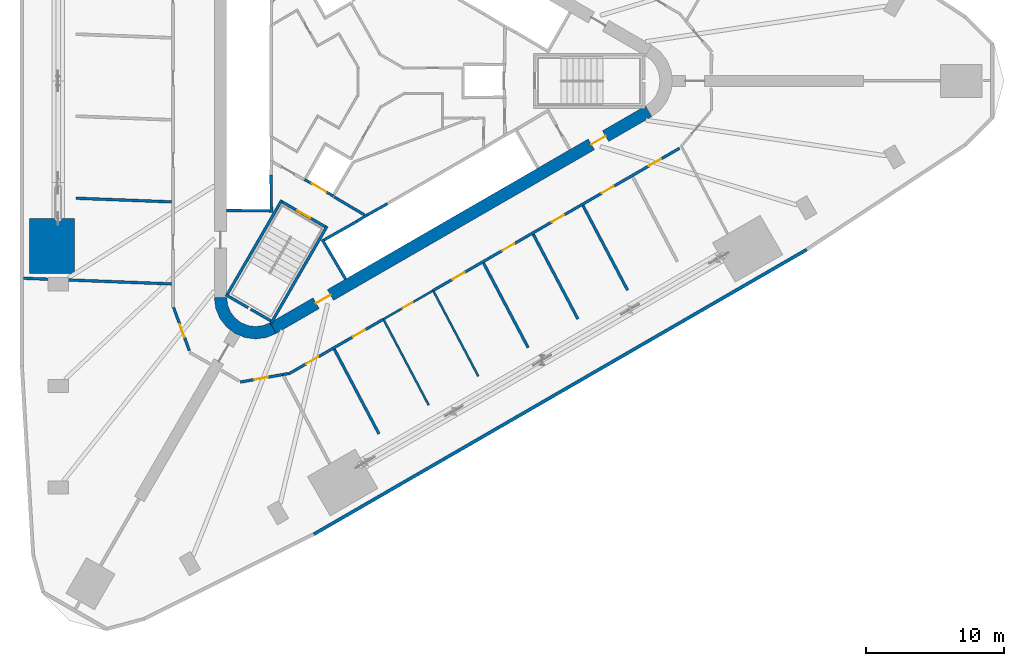
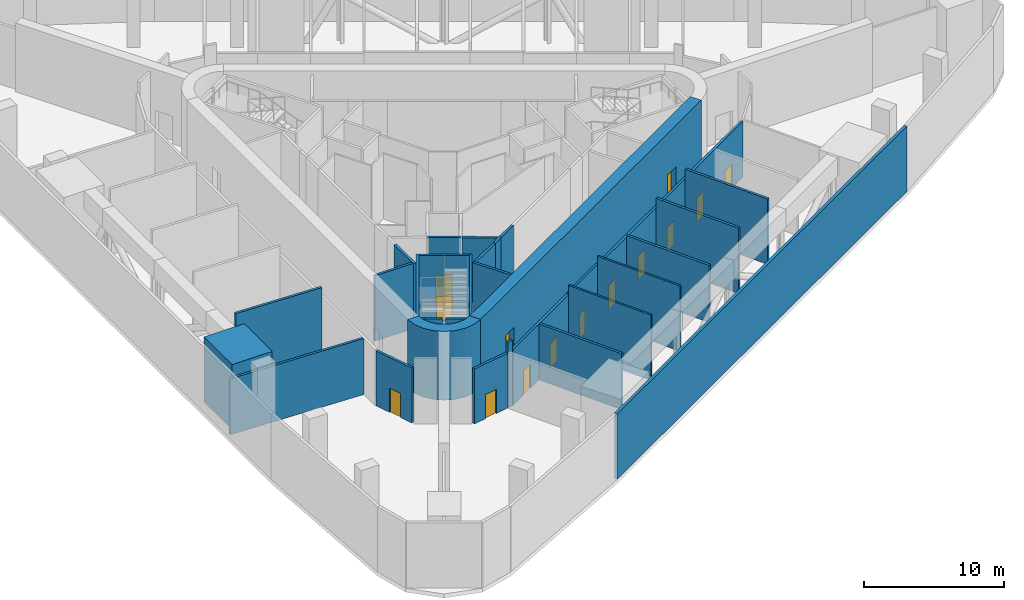
# One storey, part 6 of 14: 31 walls, 14 doors, 14 openings.
"""IFC4 building model written with IfcOpenShell, lengths in metres."""

from ifc_helpers import new_model, si_unit, direction, frame, frame_2d, origin, place, context, subcontext, project, spatial, polyline, rectangle, outline, extrude, material, layer, layer_set, type_object, element, fill, save


model = new_model("IFC4")

# Units and contexts
model_context = context("Model", 3, precision=1e-05, world=origin(), true_north=direction((0.0, 1.0)))
body_context = subcontext(model_context, "Body", "Model", "MODEL_VIEW")
ifc_project = project(units=[si_unit("LENGTHUNIT", "METRE"), si_unit("AREAUNIT", "SQUARE_METRE"), si_unit("VOLUMEUNIT", "CUBIC_METRE"), si_unit("PLANEANGLEUNIT", "RADIAN"), si_unit("MASSUNIT", "GRAM", prefix="KILO")], contexts=[model_context])

# Site, building, storey
site_placement = place(None, origin())
site = spatial("IfcSite", under=ifc_project, at=site_placement, CompositionType="ELEMENT")
building_placement = place(site_placement, origin())
building = spatial("IfcBuilding", under=site, at=building_placement, Name="Tanit Gate Tower", CompositionType="ELEMENT")
storey_placement = place(building_placement, frame((0.0, 0.0, 39.5)))
storey = spatial("IfcBuildingStorey", under=building, at=storey_placement, Name="L06", CompositionType="ELEMENT", Elevation=39.5)

# Wall, openings, doors
ifc_material_1 = material(Name="Concrete C60/75", Category="concrete")
ifc_layer_1 = layer(ifc_material_1, 0.89990234375)
ifc_layer_set_1 = layer_set([ifc_layer_1], Name="CORE WALL 900 C60/75")
wall_type_1 = type_object("IfcWallType", Name="CORE WALL 900 C60/75", PredefinedType="SHEAR", material=ifc_layer_set_1)
wall_1_placement = place(storey_placement, frame((-7.824951171875, -17.969970703125, 0.0), z_axis=(0.0, 0.0, 1.0), x_axis=(0.866028369851, 0.499994862586, 0.0)))
wall_1 = element("IfcWall", 1, at=wall_1_placement, inside=storey, type_object=wall_type_1, Name="CORE WALL", PredefinedType="SHEAR", context=body_context, shape_type="SweptSolid", body=[
    extrude(rectangle(XDim=31.523193359375, YDim=0.89990234375, at=frame_2d((15.76171875, 0.0))), origin(), (0.0, 0.0, 1.0), 6.0),
])
opening_1_placement = place(wall_1_placement, frame((26.711669921875, 0.0, 0.0)))
opening_1 = element("IfcOpeningElement", 2, at=opening_1_placement, cuts=wall_1, Name="Opening F12-06-S1", PredefinedType="OPENING", context=body_context, shape_type="SweptSolid", body=[
    extrude(rectangle(XDim=1.199951171875, YDim=2.39990234375, at=frame_2d((0.60009765625, 1.199951171875))), frame((0.0, 0.4599609375, 0.0), z_axis=(0.0, -1.0, 0.0), x_axis=(1.0, 0.0, 0.0)), (0.0, 0.0, 1.0), 0.919921875),
])
opening_2_placement = place(wall_1_placement, frame((3.611572265625, 0.0, 0.0)))
opening_2 = element("IfcOpeningElement", 3, at=opening_2_placement, cuts=wall_1, Name="Opening F12-06-FL3", PredefinedType="OPENING", context=body_context, shape_type="SweptSolid", body=[
    extrude(rectangle(XDim=1.199951171875, YDim=2.39990234375, at=frame_2d((0.60009765625, 1.199951171875))), frame((0.0, 0.4599609375, 0.0), z_axis=(0.0, -1.0, 0.0), x_axis=(1.0, 0.0, 0.0)), (0.0, 0.0, 1.0), 0.919921875),
])
ifc_material_2 = material(Name="Fire-rated steel door leaf", Category="steel")
door_type_1 = type_object("IfcDoorType", Name="INT-DOOR-FIRE-LOBBY-1200", OperationType="NOTDEFINED", PredefinedType="USERDEFINED", material=ifc_material_2)
door_1_placement = place(opening_1_placement, origin())
door_1 = element("IfcDoor", 4, at=door_1_placement, inside=storey, type_object=door_type_1, Name="Door F12-06-S1", ObjectType="FIRE DOOR", OperationType="SINGLE_SWING_LEFT", OverallHeight=2.39990234375, OverallWidth=1.199951171875, PredefinedType="USERDEFINED", context=body_context, shape_type="SweptSolid", body=[
    extrude(rectangle(XDim=1.199951171875, YDim=2.39990234375, at=frame_2d((0.60009765625, 1.199951171875))), frame((0.0, 0.02490234375, 0.0), z_axis=(0.0, -1.0, 0.0), x_axis=(1.0, 0.0, 0.0)), (0.0, 0.0, 1.0), 0.050048828125),
])
fill(opening_1, door_1)
door_2_placement = place(opening_2_placement, origin())
door_2 = element("IfcDoor", 5, at=door_2_placement, inside=storey, type_object=door_type_1, Name="Door F12-06-FL3", ObjectType="FIRE DOOR", OperationType="SINGLE_SWING_LEFT", OverallHeight=2.39990234375, OverallWidth=1.199951171875, PredefinedType="USERDEFINED", context=body_context, shape_type="SweptSolid", body=[
    extrude(rectangle(XDim=1.199951171875, YDim=2.39990234375, at=frame_2d((0.60009765625, 1.199951171875))), frame((0.0, 0.02490234375, 0.0), z_axis=(0.0, -1.0, 0.0), x_axis=(1.0, 0.0, 0.0)), (0.0, 0.0, 1.0), 0.050048828125),
])
fill(opening_2, door_2)

# Walls
wall_2_placement = place(storey_placement, origin())
element("IfcWall", 6, at=wall_2_placement, inside=storey, type_object=wall_type_1, Name="CORE WALL CORNER", PredefinedType="SHEAR", context=body_context, shape_type="SweptSolid", body=[
    extrude(outline(polyline([(-12.10009765625, -15.76171875), (-11.997802734375, -16.5380859375), (-11.697998046875, -17.26171875), (-11.22119140625, -17.883056640625), (-10.60009765625, -18.359619140625), (-9.87646484375, -18.659423828125), (-9.10009765625, -18.76171875), (-8.323486328125, -18.659423828125), (-7.60009765625, -18.359619140625), (-8.050048828125, -17.580322265625), (-8.556396484375, -17.7900390625), (-9.10009765625, -17.86181640625), (-9.6435546875, -17.7900390625), (-10.14990234375, -17.580322265625), (-10.5849609375, -17.24658203125), (-10.918701171875, -16.811767578125), (-11.12841796875, -16.30517578125), (-11.199951171875, -15.76171875), (-12.10009765625, -15.76171875)])), origin(), (0.0, 0.0, 1.0), 6.0),
])
ifc_material_3 = material(Name="Concrete C30/37 with bronze anodised aluminium cladding", Category="concrete")
ifc_layer_2 = layer(ifc_material_3, 0.239990234375)
ifc_layer_set_2 = layer_set([ifc_layer_2], Name="Facade wall bronze clad 240")
wall_type_2 = type_object("IfcWallType", Name="Facade wall bronze clad 240", PredefinedType="SOLIDWALL", material=ifc_layer_set_2)
wall_3_placement = place(storey_placement, frame((-4.859130859375, -32.954345703125, 0.0), z_axis=(0.0, 0.0, 1.0), x_axis=(0.865991780246, 0.500058233156, 0.0)))
element("IfcWall", 7, at=wall_3_placement, inside=storey, type_object=wall_type_2, Name="Bronze-clad facade wall L06 SE2", PredefinedType="SOLIDWALL", context=body_context, shape_type="SweptSolid", body=[
    extrude(rectangle(XDim=41.37060546875, YDim=0.239990234375, at=frame_2d((20.685302734375, 0.0))), origin(), (0.0, 0.0, 1.0), 5.699951171875),
])
ifc_material_4 = material(Name="Fire-rated gypsum board partition")
ifc_layer_3 = layer(ifc_material_4, 0.199951171875)
ifc_layer_set_3 = layer_set([ifc_layer_3], Name="INT-WALL-COMPARTMENT")
wall_type_3 = type_object("IfcWallType", Name="INT-WALL-COMPARTMENT", PredefinedType="PARTITIONING", material=ifc_layer_set_3)
wall_4_placement = place(storey_placement, frame((-3.400634765625, -8.43017578125, 0.0), z_axis=(0.0, 0.0, 1.0), x_axis=(0.860615607571, -0.509255118781, 0.0)))
element("IfcWall", 8, at=wall_4_placement, inside=storey, type_object=wall_type_3, Name="Wall Compartment W066", PredefinedType="PARTITIONING", context=body_context, shape_type="SweptSolid", body=[
    extrude(rectangle(XDim=2.58056640625, YDim=0.199951171875, at=frame_2d((1.290283203125, 0.0))), origin(), (0.0, 0.0, 1.0), 5.699951171875),
])

# Wall, opening, door
wall_5_placement = place(storey_placement, frame((-15.06591796875, -16.4638671875, 0.0), z_axis=(0.0, 0.0, 1.0), x_axis=(0.34204098686, -0.939685034098, 0.0)))
wall_5 = element("IfcWall", 9, at=wall_5_placement, inside=storey, type_object=wall_type_3, Name="Wall Compartment W097", PredefinedType="PARTITIONING", context=body_context, shape_type="SweptSolid", body=[
    extrude(rectangle(XDim=3.35546875, YDim=0.199951171875, at=frame_2d((1.677734375, 0.0))), origin(), (0.0, 0.0, 1.0), 4.780029296875),
])
opening_3_placement = place(wall_5_placement, frame((1.300048828125, 0.0, 0.0)))
opening_3 = element("IfcOpeningElement", 10, at=opening_3_placement, cuts=wall_5, Name="Opening F10-06-21", PredefinedType="OPENING", context=body_context, shape_type="SweptSolid", body=[
    extrude(rectangle(XDim=1.0, YDim=2.10009765625, at=frame_2d((0.5, 1.050048828125))), frame((0.0, 0.10986328125, 0.0), z_axis=(0.0, -1.0, 0.0), x_axis=(1.0, 0.0, 0.0)), (0.0, 0.0, 1.0), 0.219970703125),
])
ifc_material_5 = material(Name="Fire-rated steel door leaf", Category="steel")
door_type_2 = type_object("IfcDoorType", Name="INT-DOOR-FIRE-1000", OperationType="NOTDEFINED", PredefinedType="USERDEFINED", material=ifc_material_5)
door_3_placement = place(opening_3_placement, origin())
door_3 = element("IfcDoor", 11, at=door_3_placement, inside=storey, type_object=door_type_2, Name="Door F10-06-21", ObjectType="FIRE DOOR", OperationType="SINGLE_SWING_RIGHT", OverallHeight=2.10009765625, OverallWidth=1.0, PredefinedType="USERDEFINED", context=body_context, shape_type="SweptSolid", body=[
    extrude(rectangle(XDim=1.0, YDim=2.10009765625, at=frame_2d((0.5, 1.050048828125))), frame((0.0, 0.02490234375, 0.0), z_axis=(0.0, -1.0, 0.0), x_axis=(1.0, 0.0, 0.0)), (0.0, 0.0, 1.0), 0.050048828125),
])
fill(opening_3, door_3)

# Walls
wall_6_placement = place(storey_placement, frame((-15.199951171875, -8.796142578125, 0.0), z_axis=(0.0, 0.0, 1.0), x_axis=(-0.99926443598, 0.038348233156, 0.0)))
element("IfcWall", 12, at=wall_6_placement, inside=storey, type_object=wall_type_3, Name="Wall Compartment W105", PredefinedType="PARTITIONING", context=body_context, shape_type="SweptSolid", body=[
    extrude(rectangle(XDim=6.95849609375, YDim=0.199951171875, at=frame_2d((3.479248046875, 0.0))), origin(), (0.0, 0.0, 1.0), 5.699951171875),
])
wall_7_placement = place(storey_placement, frame((-15.199951171875, -14.760986328125, 0.0), z_axis=(0.0, 0.0, 1.0), x_axis=(-0.999263478848, 0.038373165632, 0.0)))
element("IfcWall", 13, at=wall_7_placement, inside=storey, type_object=wall_type_3, Name="Wall Compartment W106", PredefinedType="PARTITIONING", context=body_context, shape_type="SweptSolid", body=[
    extrude(rectangle(XDim=10.79052734375, YDim=0.199951171875, at=frame_2d((5.395263671875, 0.0))), origin(), (0.0, 0.0, 1.0), 4.8798828125),
])

# Wall, opening, door
wall_8_placement = place(storey_placement, frame((-10.217041015625, -21.89501953125, 0.0), z_axis=(0.0, 0.0, 1.0), x_axis=(0.984808859834, 0.173641900449, 0.0)))
wall_8 = element("IfcWall", 14, at=wall_8_placement, inside=storey, type_object=wall_type_3, Name="Wall Compartment W136", PredefinedType="PARTITIONING", context=body_context, shape_type="SweptSolid", body=[
    extrude(rectangle(XDim=3.107177734375, YDim=0.199951171875, at=frame_2d((1.5537109375, 0.0))), origin(), (0.0, 0.0, 1.0), 4.780029296875),
])
opening_4_placement = place(wall_8_placement, frame((1.037109375, 0.0, 0.0)))
opening_4 = element("IfcOpeningElement", 15, at=opening_4_placement, cuts=wall_8, Name="Opening F10-06-33", PredefinedType="OPENING", context=body_context, shape_type="SweptSolid", body=[
    extrude(rectangle(XDim=1.0, YDim=2.10009765625, at=frame_2d((0.5, 1.050048828125))), frame((0.0, 0.10986328125, 0.0), z_axis=(0.0, -1.0, 0.0), x_axis=(1.0, 0.0, 0.0)), (0.0, 0.0, 1.0), 0.219970703125),
])
door_4_placement = place(opening_4_placement, origin())
door_4 = element("IfcDoor", 16, at=door_4_placement, inside=storey, type_object=door_type_2, Name="Door F10-06-33", ObjectType="FIRE DOOR", OperationType="SINGLE_SWING_LEFT", OverallHeight=2.10009765625, OverallWidth=1.0, PredefinedType="USERDEFINED", context=body_context, shape_type="SweptSolid", body=[
    extrude(rectangle(XDim=1.0, YDim=2.10009765625, at=frame_2d((0.5, 1.050048828125))), frame((0.0, 0.02490234375, 0.0), z_axis=(0.0, -1.0, 0.0), x_axis=(1.0, 0.0, 0.0)), (0.0, 0.0, 1.0), 0.050048828125),
])
fill(opening_4, door_4)

# Wall
wall_9_placement = place(storey_placement, frame((-7.156982421875, -21.35546875, 0.0), z_axis=(0.0, 0.0, 1.0), x_axis=(0.984783558818, 0.173785333909, 0.0)))
element("IfcWall", 17, at=wall_9_placement, inside=storey, type_object=wall_type_3, Name="Wall Compartment W139", PredefinedType="PARTITIONING", context=body_context, shape_type="SweptSolid", body=[
    extrude(rectangle(XDim=0.438232421875, YDim=0.199951171875, at=frame_2d((0.21923828125, 0.0))), origin(), (0.0, 0.0, 1.0), 5.699951171875),
])

# Wall, openings, doors
wall_10_placement = place(storey_placement, frame((-6.71337890625, -21.31201171875, 0.0), z_axis=(0.0, 0.0, 1.0), x_axis=(0.866023773276, 0.500002824113, 0.0)))
wall_10 = element("IfcWall", 18, at=wall_10_placement, inside=storey, type_object=wall_type_3, Name="Wall Compartment W138", PredefinedType="PARTITIONING", context=body_context, shape_type="SweptSolid", body=[
    extrude(rectangle(XDim=7.96484375, YDim=0.199951171875, at=frame_2d((3.982421875, 0.0))), origin(), (0.0, 0.0, 1.0), 4.8798828125),
])
opening_5_placement = place(wall_10_placement, frame((1.5, 0.0, 0.0)))
opening_5 = element("IfcOpeningElement", 19, at=opening_5_placement, cuts=wall_10, Name="Opening F10-06-34", PredefinedType="OPENING", context=body_context, shape_type="SweptSolid", body=[
    extrude(rectangle(XDim=1.0, YDim=2.10009765625, at=frame_2d((0.5, 1.050048828125))), frame((0.0, 0.10986328125, 0.0), z_axis=(0.0, -1.0, 0.0), x_axis=(1.0, 0.0, 0.0)), (0.0, 0.0, 1.0), 0.219970703125),
])
opening_6_placement = place(wall_10_placement, frame((5.42578125, 0.0, 0.0)))
opening_6 = element("IfcOpeningElement", 20, at=opening_6_placement, cuts=wall_10, Name="Opening F10-06-35", PredefinedType="OPENING", context=body_context, shape_type="SweptSolid", body=[
    extrude(rectangle(XDim=1.0, YDim=2.10009765625, at=frame_2d((0.5, 1.050048828125))), frame((0.0, 0.10986328125, 0.0), z_axis=(0.0, -1.0, 0.0), x_axis=(1.0, 0.0, 0.0)), (0.0, 0.0, 1.0), 0.219970703125),
])
door_5_placement = place(opening_5_placement, origin())
door_5 = element("IfcDoor", 21, at=door_5_placement, inside=storey, type_object=door_type_2, Name="Door F10-06-34", ObjectType="FIRE DOOR", OperationType="SINGLE_SWING_LEFT", OverallHeight=2.10009765625, OverallWidth=1.0, PredefinedType="USERDEFINED", context=body_context, shape_type="SweptSolid", body=[
    extrude(rectangle(XDim=1.0, YDim=2.10009765625, at=frame_2d((0.5, 1.050048828125))), frame((0.0, 0.02490234375, 0.0), z_axis=(0.0, -1.0, 0.0), x_axis=(1.0, 0.0, 0.0)), (0.0, 0.0, 1.0), 0.050048828125),
])
fill(opening_5, door_5)
door_6_placement = place(opening_6_placement, origin())
door_6 = element("IfcDoor", 22, at=door_6_placement, inside=storey, type_object=door_type_2, Name="Door F10-06-35", ObjectType="FIRE DOOR", OperationType="SINGLE_SWING_RIGHT", OverallHeight=2.10009765625, OverallWidth=1.0, PredefinedType="USERDEFINED", context=body_context, shape_type="SweptSolid", body=[
    extrude(rectangle(XDim=1.0, YDim=2.10009765625, at=frame_2d((0.5, 1.050048828125))), frame((0.0, 0.02490234375, 0.0), z_axis=(0.0, -1.0, 0.0), x_axis=(1.0, 0.0, 0.0)), (0.0, 0.0, 1.0), 0.050048828125),
])
fill(opening_6, door_6)

wall_11_placement = place(storey_placement, frame((3.80029296875, -15.241943359375, 0.0), z_axis=(0.0, 0.0, 1.0), x_axis=(0.866025905383, 0.499999131204, 0.0)))
wall_11 = element("IfcWall", 23, at=wall_11_placement, inside=storey, type_object=wall_type_3, Name="Wall Compartment W142", PredefinedType="PARTITIONING", context=body_context, shape_type="SweptSolid", body=[
    extrude(rectangle(XDim=20.69970703125, YDim=0.199951171875, at=frame_2d((10.349853515625, 0.0))), origin(), (0.0, 0.0, 1.0), 4.8798828125),
])
opening_7_placement = place(wall_11_placement, frame((1.636474609375, 0.0, 0.0)))
opening_7 = element("IfcOpeningElement", 24, at=opening_7_placement, cuts=wall_11, Name="Opening F10-06-37", PredefinedType="OPENING", context=body_context, shape_type="SweptSolid", body=[
    extrude(rectangle(XDim=1.0, YDim=2.10009765625, at=frame_2d((0.5, 1.050048828125))), frame((0.0, 0.10986328125, 0.0), z_axis=(0.0, -1.0, 0.0), x_axis=(1.0, 0.0, 0.0)), (0.0, 0.0, 1.0), 0.219970703125),
])
opening_8_placement = place(wall_11_placement, frame((5.811767578125, 0.0, 0.0)))
opening_8 = element("IfcOpeningElement", 25, at=opening_8_placement, cuts=wall_11, Name="Opening F10-06-38", PredefinedType="OPENING", context=body_context, shape_type="SweptSolid", body=[
    extrude(rectangle(XDim=1.0, YDim=2.10009765625, at=frame_2d((0.5, 1.050048828125))), frame((0.0, 0.10986328125, 0.0), z_axis=(0.0, -1.0, 0.0), x_axis=(1.0, 0.0, 0.0)), (0.0, 0.0, 1.0), 0.219970703125),
])
opening_9_placement = place(wall_11_placement, frame((9.987060546875, 0.0, 0.0)))
opening_9 = element("IfcOpeningElement", 26, at=opening_9_placement, cuts=wall_11, Name="Opening F10-06-39", PredefinedType="OPENING", context=body_context, shape_type="SweptSolid", body=[
    extrude(rectangle(XDim=1.0, YDim=2.10009765625, at=frame_2d((0.5, 1.050048828125))), frame((0.0, 0.10986328125, 0.0), z_axis=(0.0, -1.0, 0.0), x_axis=(1.0, 0.0, 0.0)), (0.0, 0.0, 1.0), 0.219970703125),
])
opening_10_placement = place(wall_11_placement, frame((14.162353515625, 0.0, 0.0)))
opening_10 = element("IfcOpeningElement", 27, at=opening_10_placement, cuts=wall_11, Name="Opening F10-06-40", PredefinedType="OPENING", context=body_context, shape_type="SweptSolid", body=[
    extrude(rectangle(XDim=1.0, YDim=2.10009765625, at=frame_2d((0.5, 1.050048828125))), frame((0.0, 0.10986328125, 0.0), z_axis=(0.0, -1.0, 0.0), x_axis=(1.0, 0.0, 0.0)), (0.0, 0.0, 1.0), 0.219970703125),
])
opening_11_placement = place(wall_11_placement, frame((18.1376953125, 0.0, 0.0)))
opening_11 = element("IfcOpeningElement", 28, at=opening_11_placement, cuts=wall_11, Name="Opening F10-06-41", PredefinedType="OPENING", context=body_context, shape_type="SweptSolid", body=[
    extrude(rectangle(XDim=1.0, YDim=2.10009765625, at=frame_2d((0.5, 1.050048828125))), frame((0.0, 0.10986328125, 0.0), z_axis=(0.0, -1.0, 0.0), x_axis=(1.0, 0.0, 0.0)), (0.0, 0.0, 1.0), 0.219970703125),
])
door_7_placement = place(opening_7_placement, origin())
door_7 = element("IfcDoor", 29, at=door_7_placement, inside=storey, type_object=door_type_2, Name="Door F10-06-37", ObjectType="FIRE DOOR", OperationType="SINGLE_SWING_LEFT", OverallHeight=2.10009765625, OverallWidth=1.0, PredefinedType="USERDEFINED", context=body_context, shape_type="SweptSolid", body=[
    extrude(rectangle(XDim=1.0, YDim=2.10009765625, at=frame_2d((0.5, 1.050048828125))), frame((0.0, 0.02490234375, 0.0), z_axis=(0.0, -1.0, 0.0), x_axis=(1.0, 0.0, 0.0)), (0.0, 0.0, 1.0), 0.050048828125),
])
fill(opening_7, door_7)
door_8_placement = place(opening_8_placement, origin())
door_8 = element("IfcDoor", 30, at=door_8_placement, inside=storey, type_object=door_type_2, Name="Door F10-06-38", ObjectType="FIRE DOOR", OperationType="SINGLE_SWING_RIGHT", OverallHeight=2.10009765625, OverallWidth=1.0, PredefinedType="USERDEFINED", context=body_context, shape_type="SweptSolid", body=[
    extrude(rectangle(XDim=1.0, YDim=2.10009765625, at=frame_2d((0.5, 1.050048828125))), frame((0.0, 0.02490234375, 0.0), z_axis=(0.0, -1.0, 0.0), x_axis=(1.0, 0.0, 0.0)), (0.0, 0.0, 1.0), 0.050048828125),
])
fill(opening_8, door_8)
door_9_placement = place(opening_9_placement, origin())
door_9 = element("IfcDoor", 31, at=door_9_placement, inside=storey, type_object=door_type_2, Name="Door F10-06-39", ObjectType="FIRE DOOR", OperationType="SINGLE_SWING_LEFT", OverallHeight=2.10009765625, OverallWidth=1.0, PredefinedType="USERDEFINED", context=body_context, shape_type="SweptSolid", body=[
    extrude(rectangle(XDim=1.0, YDim=2.10009765625, at=frame_2d((0.5, 1.050048828125))), frame((0.0, 0.02490234375, 0.0), z_axis=(0.0, -1.0, 0.0), x_axis=(1.0, 0.0, 0.0)), (0.0, 0.0, 1.0), 0.050048828125),
])
fill(opening_9, door_9)
door_10_placement = place(opening_10_placement, origin())
door_10 = element("IfcDoor", 32, at=door_10_placement, inside=storey, type_object=door_type_2, Name="Door F10-06-40", ObjectType="FIRE DOOR", OperationType="SINGLE_SWING_LEFT", OverallHeight=2.10009765625, OverallWidth=1.0, PredefinedType="USERDEFINED", context=body_context, shape_type="SweptSolid", body=[
    extrude(rectangle(XDim=1.0, YDim=2.10009765625, at=frame_2d((0.5, 1.050048828125))), frame((0.0, 0.02490234375, 0.0), z_axis=(0.0, -1.0, 0.0), x_axis=(1.0, 0.0, 0.0)), (0.0, 0.0, 1.0), 0.050048828125),
])
fill(opening_10, door_10)
door_11_placement = place(opening_11_placement, origin())
door_11 = element("IfcDoor", 33, at=door_11_placement, inside=storey, type_object=door_type_2, Name="Door F10-06-41", ObjectType="FIRE DOOR", OperationType="SINGLE_SWING_RIGHT", OverallHeight=2.10009765625, OverallWidth=1.0, PredefinedType="USERDEFINED", context=body_context, shape_type="SweptSolid", body=[
    extrude(rectangle(XDim=1.0, YDim=2.10009765625, at=frame_2d((0.5, 1.050048828125))), frame((0.0, 0.02490234375, 0.0), z_axis=(0.0, -1.0, 0.0), x_axis=(1.0, 0.0, 0.0)), (0.0, 0.0, 1.0), 0.050048828125),
])
fill(opening_11, door_11)

# Walls
wall_12_placement = place(storey_placement, frame((-0.133056640625, -25.657470703125, 0.0), z_axis=(0.0, 0.0, 1.0), x_axis=(-0.466378215556, 0.884585417048, 0.0)))
element("IfcWall", 34, at=wall_12_placement, inside=storey, type_object=wall_type_3, Name="Wall Compartment W150", PredefinedType="PARTITIONING", context=body_context, shape_type="SweptSolid", body=[
    extrude(rectangle(XDim=6.958740234375, YDim=0.199951171875, at=frame_2d((3.4794921875, 0.0))), origin(), (0.0, 0.0, 1.0), 4.8798828125),
])
wall_13_placement = place(storey_placement, frame((7.46923828125, -13.239013671875, 0.0), z_axis=(0.0, 0.0, 1.0), x_axis=(0.46642014312, -0.884563310392, 0.0)))
element("IfcWall", 35, at=wall_13_placement, inside=storey, type_object=wall_type_3, Name="Wall Compartment W153", PredefinedType="PARTITIONING", context=body_context, shape_type="SweptSolid", body=[
    extrude(rectangle(XDim=6.95849609375, YDim=0.199951171875, at=frame_2d((3.479248046875, 0.0))), origin(), (0.0, 0.0, 1.0), 4.97998046875),
])
for number, where, z_axis, x_axis, name in (
    (36, (11.085205078125, -11.1513671875, 0.0), (0.0, 0.0, 1.0), (0.46642014312, -0.884563310392, 0.0), "Wall Compartment W154"),
    (37, (14.701171875, -9.063720703125, 0.0), (0.0, 0.0, 1.0), (0.4663926901, -0.884577785512, 0.0), "Wall Compartment W155"),
):
    element("IfcWall", number, at=place(storey_placement, frame(where, z_axis=z_axis, x_axis=x_axis)), inside=storey, type_object=wall_type_3, Name=name, PredefinedType="PARTITIONING", context=body_context, shape_type="SweptSolid", body=[
        extrude(rectangle(XDim=6.95849609375, YDim=0.199951171875, at=frame_2d((3.479248046875, 0.0))), origin(), (0.0, 0.0, 1.0), 5.699951171875),
    ])

# Wall, opening, door
ifc_material_6 = material(Name="Fire-rated gypsum board partition")
ifc_layer_4 = layer(ifc_material_6, 0.14990234375)
ifc_layer_set_4 = layer_set([ifc_layer_4], Name="INT-WALL-RISER")
wall_type_4 = type_object("IfcWallType", Name="INT-WALL-RISER", PredefinedType="PLUMBINGWALL", material=ifc_layer_set_4)
wall_14_placement = place(storey_placement, frame((0.184326171875, -17.32958984375, 0.0), z_axis=(0.0, 0.0, 1.0), x_axis=(0.866028817718, 0.499994086848, 0.0)))
wall_14 = element("IfcWall", 38, at=wall_14_placement, inside=storey, type_object=wall_type_4, Name="Wall Riser W141", PredefinedType="PLUMBINGWALL", context=body_context, shape_type="SweptSolid", body=[
    extrude(rectangle(XDim=4.17529296875, YDim=0.14990234375, at=frame_2d((2.087646484375, 0.0))), origin(), (0.0, 0.0, 1.0), 4.97998046875),
])
opening_12_placement = place(wall_14_placement, frame((1.636474609375, 0.0, 0.0)))
opening_12 = element("IfcOpeningElement", 39, at=opening_12_placement, cuts=wall_14, Name="Opening R08-06-36", PredefinedType="OPENING", context=body_context, shape_type="SweptSolid", body=[
    extrude(rectangle(XDim=0.800048828125, YDim=2.10009765625, at=frame_2d((0.39990234375, 1.050048828125))), frame((0.0, 0.0849609375, 0.0), z_axis=(0.0, -1.0, 0.0), x_axis=(1.0, 0.0, 0.0)), (0.0, 0.0, 1.0), 0.169921875),
])
ifc_material_7 = material(Name="Timber door leaf", Category="wood")
door_type_3 = type_object("IfcDoorType", Name="INT-DOOR-RISER-800", OperationType="NOTDEFINED", PredefinedType="USERDEFINED", material=ifc_material_7)
door_12_placement = place(opening_12_placement, origin())
door_12 = element("IfcDoor", 40, at=door_12_placement, inside=storey, type_object=door_type_3, Name="Door R08-06-36", ObjectType="FIRE DOOR", OperationType="SINGLE_SWING_RIGHT", OverallHeight=2.10009765625, OverallWidth=0.800048828125, PredefinedType="USERDEFINED", context=body_context, shape_type="SweptSolid", body=[
    extrude(rectangle(XDim=0.800048828125, YDim=2.10009765625, at=frame_2d((0.39990234375, 1.050048828125))), frame((0.0, 0.02490234375, 0.0), z_axis=(0.0, -1.0, 0.0), x_axis=(1.0, 0.0, 0.0)), (0.0, 0.0, 1.0), 0.050048828125),
])
fill(opening_12, door_12)

# Walls
wall_15_placement = place(storey_placement, frame((0.237548828125, -17.414306640625, 0.0), z_axis=(0.0, 0.0, 1.0), x_axis=(0.466378215556, -0.884585417048, 0.0)))
element("IfcWall", 41, at=wall_15_placement, inside=storey, type_object=wall_type_4, Name="Wall Riser W151", PredefinedType="PLUMBINGWALL", context=body_context, shape_type="SweptSolid", body=[
    extrude(rectangle(XDim=6.958740234375, YDim=0.14990234375, at=frame_2d((3.4794921875, 0.0))), origin(), (0.0, 0.0, 1.0), 5.699951171875),
])
wall_16_placement = place(storey_placement, frame((7.098876953125, -21.48193359375, 0.0), z_axis=(0.0, 0.0, 1.0), x_axis=(-0.466393246704, 0.884577492043, 0.0)))
element("IfcWall", 42, at=wall_16_placement, inside=storey, type_object=wall_type_4, Name="Wall Riser W152", PredefinedType="PLUMBINGWALL", context=body_context, shape_type="SweptSolid", body=[
    extrude(rectangle(XDim=6.983642578125, YDim=0.14990234375, at=frame_2d((3.49169921875, 0.0))), origin(), (0.0, 0.0, 1.0), 5.699951171875),
])
ifc_material_8 = material(Name="Gypsum shaft wall system")
ifc_layer_5 = layer(ifc_material_8, 0.199951171875)
ifc_layer_set_5 = layer_set([ifc_layer_5], Name="INT-WALL-SHAFT")
wall_type_5 = type_object("IfcWallType", Name="INT-WALL-SHAFT", PredefinedType="PLUMBINGWALL", material=ifc_layer_set_5)
wall_17_placement = place(storey_placement, frame((-7.97900390625, -6.85009765625, 0.0), z_axis=(0.0, 0.0, 1.0), x_axis=(0.011121475088, -0.999938154483, 0.0)))
element("IfcWall", 43, at=wall_17_placement, inside=storey, type_object=wall_type_5, Name="Wall Shaft W011", PredefinedType="PLUMBINGWALL", context=body_context, shape_type="SweptSolid", body=[
    extrude(rectangle(XDim=2.7001953125, YDim=0.199951171875, at=frame_2d((1.35009765625, 0.0))), origin(), (0.0, 0.0, 1.0), 5.699951171875),
])
wall_18_placement = place(storey_placement, frame((-8.050048828125, -9.448974609375, 0.0), z_axis=(0.0, 0.0, 1.0), x_axis=(-0.999957467379, 0.009222983926, 0.0)))
element("IfcWall", 44, at=wall_18_placement, inside=storey, type_object=wall_type_5, Name="Wall Shaft W012", PredefinedType="PLUMBINGWALL", context=body_context, shape_type="SweptSolid", body=[
    extrude(rectangle(XDim=3.150146484375, YDim=0.199951171875, at=frame_2d((1.5751953125, 0.0))), origin(), (0.0, 0.0, 1.0), 5.699951171875),
])
wall_19_placement = place(storey_placement, frame((-2.557861328125, -14.409423828125, 0.0), z_axis=(0.0, 0.0, 1.0), x_axis=(-0.507997497166, 0.861358544901, 0.0)))
element("IfcWall", 45, at=wall_19_placement, inside=storey, type_object=wall_type_5, Name="Wall Shaft W027", PredefinedType="PLUMBINGWALL", context=body_context, shape_type="SweptSolid", body=[
    extrude(rectangle(XDim=3.350341796875, YDim=0.199951171875, at=frame_2d((1.67529296875, 0.0))), origin(), (0.0, 0.0, 1.0), 5.699951171875),
])
wall_20_placement = place(storey_placement, frame((-1.7685546875, -10.23681640625, 0.0), z_axis=(0.0, 0.0, 1.0), x_axis=(-0.871534483978, -0.490334215854, 0.0)))
element("IfcWall", 46, at=wall_20_placement, inside=storey, type_object=wall_type_5, Name="Wall Shaft W028", PredefinedType="PLUMBINGWALL", context=body_context, shape_type="SweptSolid", body=[
    extrude(rectangle(XDim=2.7001953125, YDim=0.199951171875, at=frame_2d((1.35009765625, 0.0))), origin(), (0.0, 0.0, 1.0), 5.699951171875),
])
wall_21_placement = place(storey_placement, frame((-1.02392578125, -9.77099609375, 0.0), z_axis=(0.0, 0.0, 1.0), x_axis=(-0.850348075135, -0.526220629693, 0.0)))
element("IfcWall", 47, at=wall_21_placement, inside=storey, type_object=wall_type_5, Name="Wall Shaft W029", PredefinedType="PLUMBINGWALL", context=body_context, shape_type="SweptSolid", body=[
    extrude(rectangle(XDim=0.878173828125, YDim=0.199951171875, at=frame_2d((0.43896484375, 0.0))), origin(), (0.0, 0.0, 1.0), 5.699951171875),
])
wall_22_placement = place(storey_placement, frame((-1.130126953125, -9.831298828125, 0.0), z_axis=(0.0, 0.0, 1.0), x_axis=(0.874269620932, 0.485440655401, 0.0)))
element("IfcWall", 48, at=wall_22_placement, inside=storey, type_object=wall_type_5, Name="Wall Shaft W030", PredefinedType="PLUMBINGWALL", context=body_context, shape_type="SweptSolid", body=[
    extrude(rectangle(XDim=1.8447265625, YDim=0.199951171875, at=frame_2d((0.92236328125, 0.0))), origin(), (0.0, 0.0, 1.0), 5.699951171875),
])

# Wall, opening, door
wall_23_placement = place(storey_placement, frame((-3.44580078125, -8.3681640625, 0.0), z_axis=(0.0, 0.0, 1.0), x_axis=(-0.866024647952, 0.500001309137, 0.0)))
wall_23 = element("IfcWall", 49, at=wall_23_placement, inside=storey, type_object=wall_type_5, Name="Wall Shaft W056", PredefinedType="PLUMBINGWALL", context=body_context, shape_type="SweptSolid", body=[
    extrude(rectangle(XDim=2.39990234375, YDim=0.199951171875, at=frame_2d((1.199951171875, 0.0))), origin(), (0.0, 0.0, 1.0), 5.699951171875),
])
opening_13_placement = place(wall_23_placement, frame((0.60009765625, 0.0, 0.0)))
opening_13 = element("IfcOpeningElement", 50, at=opening_13_placement, cuts=wall_23, Name="Opening LDFL3-L06", PredefinedType="OPENING", context=body_context, shape_type="SweptSolid", body=[
    extrude(rectangle(XDim=1.199951171875, YDim=2.39990234375, at=frame_2d((0.60009765625, 1.199951171875))), frame((0.0, 0.10986328125, 0.0), z_axis=(0.0, -1.0, 0.0), x_axis=(1.0, 0.0, 0.0)), (0.0, 0.0, 1.0), 0.219970703125),
])
ifc_material_9 = material(Name="Stainless steel sliding door leaf", Category="steel")
door_type_4 = type_object("IfcDoorType", Name="INT-DOOR-LANDING-1200", OperationType="NOTDEFINED", PredefinedType="USERDEFINED", material=ifc_material_9)
door_13_placement = place(opening_13_placement, origin())
door_13 = element("IfcDoor", 51, at=door_13_placement, inside=storey, type_object=door_type_4, Name="Door LDFL3-L06", ObjectType="LANDING DOOR", OperationType="SLIDING_TO_LEFT", OverallHeight=2.39990234375, OverallWidth=1.199951171875, PredefinedType="USERDEFINED", context=body_context, shape_type="SweptSolid", body=[
    extrude(rectangle(XDim=1.199951171875, YDim=2.39990234375, at=frame_2d((0.60009765625, 1.199951171875))), frame((0.0, 0.02490234375, 0.0), z_axis=(0.0, -1.0, 0.0), x_axis=(1.0, 0.0, 0.0)), (0.0, 0.0, 1.0), 0.050048828125),
])
fill(opening_13, door_13)

# Walls
ifc_material_10 = material(Name="Concrete C40/50", Category="concrete")
ifc_layer_6 = layer(ifc_material_10, 0.199951171875)
ifc_layer_set_6 = layer_set([ifc_layer_6], Name="INT-WALL-STAIR")
wall_type_6 = type_object("IfcWallType", Name="INT-WALL-STAIR", PredefinedType="SHEAR", material=ifc_layer_set_6)
wall_24_placement = place(storey_placement, frame((-3.904541015625, -10.56298828125, -0.35009765625), z_axis=(0.0, 0.0, 1.0), x_axis=(-0.500012932018, -0.866017937352, 0.0)))
element("IfcWall", 52, at=wall_24_placement, inside=storey, type_object=wall_type_6, Name="Wall Stair W051", PredefinedType="SHEAR", context=body_context, shape_type="SweptSolid", body=[
    extrude(rectangle(XDim=8.099853515625, YDim=0.199951171875, at=frame_2d((4.0498046875, 0.0))), origin(), (0.0, 0.0, 1.0), 6.050048828125),
])
wall_25_placement = place(storey_placement, frame((-11.281982421875, -15.541015625, -0.35009765625), z_axis=(0.0, 0.0, 1.0), x_axis=(0.866000578957, -0.500042995397, 0.0)))
element("IfcWall", 53, at=wall_25_placement, inside=storey, type_object=wall_type_6, Name="Wall Stair W053", PredefinedType="SHEAR", context=body_context, shape_type="SweptSolid", body=[
    extrude(rectangle(XDim=1.889892578125, YDim=0.199951171875, at=frame_2d((0.94482421875, 0.0))), origin(), (0.0, 0.0, 1.0), 6.050048828125),
])
wall_26_placement = place(storey_placement, frame((-9.454833984375, -16.59619140625, -0.35009765625), z_axis=(0.0, 0.0, 1.0), x_axis=(0.866038843867, -0.499976720371, 0.0)))
element("IfcWall", 54, at=wall_26_placement, inside=storey, type_object=wall_type_6, Name="Wall Stair W052", PredefinedType="SHEAR", context=body_context, shape_type="SweptSolid", body=[
    extrude(rectangle(XDim=1.68994140625, YDim=0.199951171875, at=frame_2d((0.844970703125, 0.0))), origin(), (0.0, 0.0, 1.0), 6.050048828125),
])
wall_27_placement = place(storey_placement, frame((-7.195556640625, -8.662841796875, -0.35009765625), z_axis=(0.0, 0.0, 1.0), x_axis=(-0.499997992926, -0.866026562566, 0.0)))
element("IfcWall", 55, at=wall_27_placement, inside=storey, type_object=wall_type_6, Name="Wall Stair W054", PredefinedType="SHEAR", context=body_context, shape_type="SweptSolid", body=[
    extrude(rectangle(XDim=7.89990234375, YDim=0.199951171875, at=frame_2d((3.949951171875, 0.0))), origin(), (0.0, 0.0, 1.0), 6.050048828125),
])

# Wall, opening, door
wall_28_placement = place(storey_placement, frame((-4.041259765625, -10.599365234375, -0.35009765625), z_axis=(0.0, 0.0, 1.0), x_axis=(-0.866047807691, 0.499961193289, 0.0)))
wall_28 = element("IfcWall", 56, at=wall_28_placement, inside=storey, type_object=wall_type_6, Name="Wall Stair W055", PredefinedType="SHEAR", context=body_context, shape_type="SweptSolid", body=[
    extrude(rectangle(XDim=3.599853515625, YDim=0.199951171875, at=frame_2d((1.7998046875, 0.0))), origin(), (0.0, 0.0, 1.0), 6.050048828125),
])
opening_14_placement = place(wall_28_placement, frame((1.25, 0.0, 0.35009765625)))
opening_14 = element("IfcOpeningElement", 57, at=opening_14_placement, cuts=wall_28, Name="Opening S11-06-07", PredefinedType="OPENING", context=body_context, shape_type="SweptSolid", body=[
    extrude(rectangle(XDim=1.10009765625, YDim=2.10009765625, at=frame_2d((0.550048828125, 1.050048828125))), frame((0.0, 0.10986328125, 0.0), z_axis=(0.0, -1.0, 0.0), x_axis=(1.0, 0.0, 0.0)), (0.0, 0.0, 1.0), 0.219970703125),
])
ifc_material_11 = material(Name="Timber door leaf", Category="wood")
door_type_5 = type_object("IfcDoorType", Name="INT-DOOR-STAIR-1100", OperationType="NOTDEFINED", PredefinedType="USERDEFINED", material=ifc_material_11)
door_14_placement = place(opening_14_placement, origin())
door_14 = element("IfcDoor", 58, at=door_14_placement, inside=storey, type_object=door_type_5, Name="Door S11-06-07", ObjectType="FIRE DOOR", OperationType="SINGLE_SWING_LEFT", OverallHeight=2.10009765625, OverallWidth=1.10009765625, PredefinedType="USERDEFINED", context=body_context, shape_type="SweptSolid", body=[
    extrude(rectangle(XDim=1.10009765625, YDim=2.10009765625, at=frame_2d((0.550048828125, 1.050048828125))), frame((0.0, 0.02490234375, 0.0), z_axis=(0.0, -1.0, 0.0), x_axis=(1.0, 0.0, 0.0)), (0.0, 0.0, 1.0), 0.050048828125),
])
fill(opening_14, door_14)

# Wall
ifc_material_12 = material(Name="Concrete C60/75", Category="concrete")
ifc_layer_7 = layer(ifc_material_12, 4.0)
ifc_layer_set_7 = layer_set([ifc_layer_7], Name="PIER WALL 4000 C60/75")
wall_type_7 = type_object("IfcWallType", Name="PIER WALL 4000 C60/75", PredefinedType="SHEAR", material=ifc_layer_set_7)
wall_29_placement = place(storey_placement, origin())
element("IfcWall", 59, at=wall_29_placement, inside=storey, type_object=wall_type_7, Name="PIER WALL", PredefinedType="SHEAR", context=body_context, shape_type="SweptSolid", body=[
    extrude(outline(polyline([(-25.553466796875, -10.0), (-25.553466796875, -14.0), (-22.25341796875, -14.0), (-22.25341796875, -10.0), (-25.553466796875, -10.0)])), origin(), (0.0, 0.0, 1.0), 5.699951171875),
])

save(model, "model.ifc")
